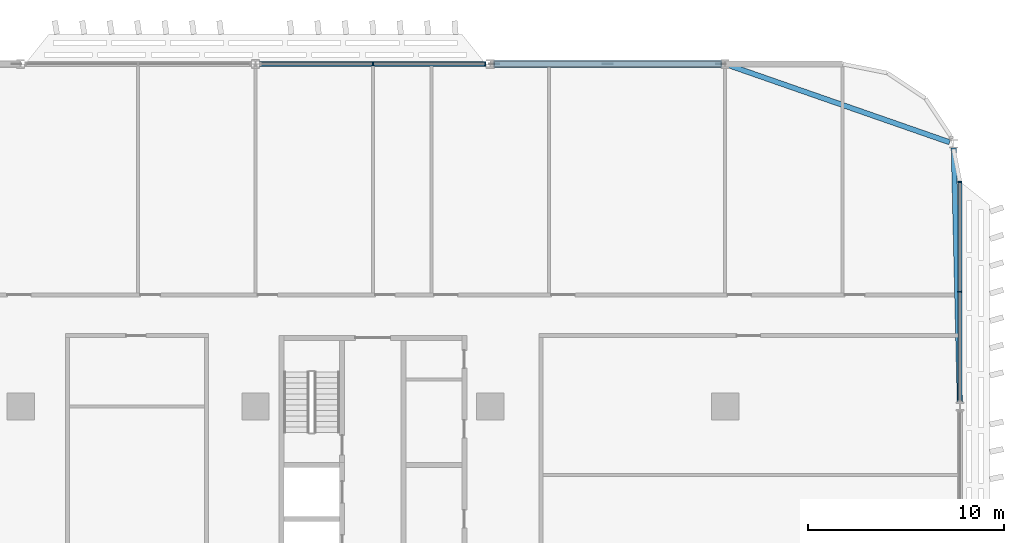
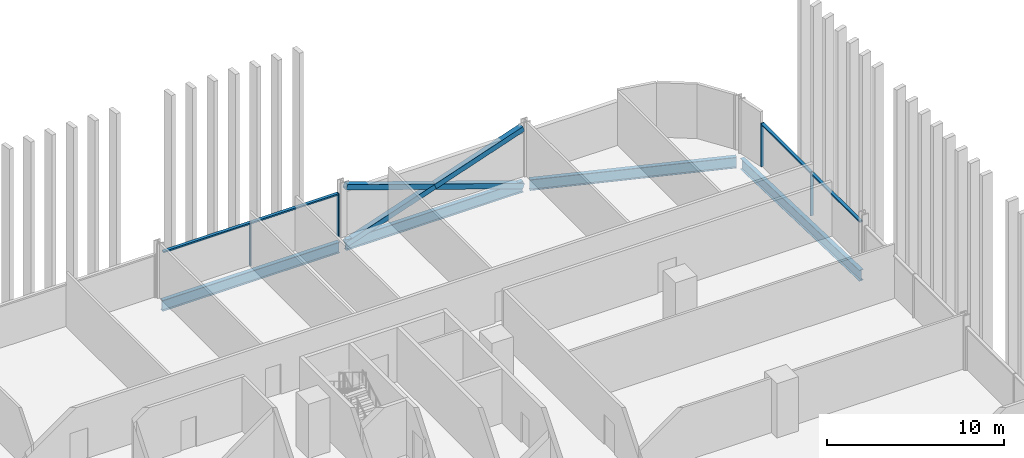
# One storey, part 10 of 31: 11 members, 4 beams, 2 elements without a shape of their own.
"""IFC4 building model written with IfcOpenShell, lengths in metres."""

from ifc_helpers import new_model, si_unit, direction, frame, origin, origin_2d, place, context, subcontext, project, spatial, rectangle, hollow_rectangle, i_section, extrude, material, material_profile, profile_set, type_object, element, aggregate, save


model = new_model("IFC4")

# Units and contexts
model_context = context("Model", 3, precision=1e-05, world=origin(), true_north=direction((0.0, 1.0)))
body_context = subcontext(model_context, "Body", "Model", "MODEL_VIEW")
ifc_project = project(units=[si_unit("LENGTHUNIT", "METRE"), si_unit("AREAUNIT", "SQUARE_METRE"), si_unit("VOLUMEUNIT", "CUBIC_METRE"), si_unit("PLANEANGLEUNIT", "RADIAN"), si_unit("MASSUNIT", "GRAM", prefix="KILO")], contexts=[model_context])

# Site, building, storey
site_placement = place(None, origin())
site = spatial("IfcSite", under=ifc_project, at=site_placement, CompositionType="ELEMENT")
building_placement = place(site_placement, origin())
building = spatial("IfcBuilding", under=site, at=building_placement, Name="Mahtab Terrace Research Tower", CompositionType="ELEMENT")
storey_placement = place(building_placement, frame((0.0, 0.0, 101.199951171875)))
storey = spatial("IfcBuildingStorey", under=building, at=storey_placement, Name="L23", CompositionType="ELEMENT", Elevation=101.199951171875)

# Members
ifc_material_1 = material(Name="Steel ASTM A500 Gr C", Category="steel")
ifc_material_profile_1 = material_profile(ifc_material_1, hollow_rectangle(XDim=0.355712890625, YDim=0.355712890625, WallThickness=0.01904296875, at=origin_2d()), Name="HSS14X14X3/4")
ifc_profile_set_1 = profile_set([ifc_material_profile_1], Name="Steel ASTM A500 Gr C")
member_type_1 = type_object("IfcMemberType", Name="HSS 14x14x3/4 brace XB141434", PredefinedType="BRACE", material=ifc_profile_set_1)
member_1_placement = place(storey_placement, frame((41.79052734375, 29.0, -0.646728515625), z_axis=(-0.946292853795, 0.0, 0.323310740397), x_axis=(0.0, -1.0, 0.0)))
element("IfcMember", 1, at=member_1_placement, inside=storey, type_object=member_type_1, Name="Exoskeleton brace L23 02 a", PredefinedType="BRACE", context=body_context, shape_type="SweptSolid", body=[
    extrude(hollow_rectangle(XDim=0.355712890625, YDim=0.355712890625, WallThickness=0.01904296875, at=origin_2d()), origin(), (0.0, 0.0, 1.0), 12.23828125),
])
for number, where, z_axis, x_axis, name in (
    (2, (30.20947265625, 29.0, -0.646728515625), (0.946298956945, 0.0, 0.323292876639), (0.0, 1.0, 0.0), "Exoskeleton brace L23 02 b1"),
    (3, (36.0, 29.0, 1.33154296875), (0.946286750388, 0.0, 0.323328603809), (0.0, 1.0, 0.0), "Exoskeleton brace L23 02 b2"),
):
    element("IfcMember", number, at=place(storey_placement, frame(where, z_axis=z_axis, x_axis=x_axis)), inside=storey, type_object=member_type_1, Name=name, PredefinedType="BRACE", context=body_context, shape_type="SweptSolid", body=[
        extrude(hollow_rectangle(XDim=0.355712890625, YDim=0.355712890625, WallThickness=0.01904296875, at=origin_2d()), origin(), (0.0, 0.0, 1.0), 6.119140625),
    ])

# Curtain wall, members
ifc_material_2 = material(Name="Laboratory ribbon curtain wall")
curtain_wall_type = type_object("IfcCurtainWallType", Name="Laboratory ribbon curtain wall", PredefinedType="NOTDEFINED", material=ifc_material_2)
curtain_wall_1_placement = place(storey_placement, origin())
curtain_wall_1 = element("IfcCurtainWall", 4, at=curtain_wall_1_placement, inside=storey, type_object=curtain_wall_type, Name="EN.L23.3.5", PredefinedType="NOTDEFINED")
ifc_material_3 = material(Name="Natural anodised aluminium", Category="aluminium")
ifc_material_profile_2 = material_profile(ifc_material_3, rectangle(XDim=0.199951171875, YDim=0.06494140625, at=origin_2d()), Name="MULLION 65x200")
ifc_profile_set_2 = profile_set([ifc_material_profile_2], Name="Natural anodised aluminium")
member_type_2 = type_object("IfcMemberType", Name="Laboratory ribbon curtain wall mullion", PredefinedType="MULLION", material=ifc_profile_set_2)
member_2_placement = place(storey_placement, frame((29.739501953125, 29.0, 0.0), z_axis=(0.0, 0.0, 1.0), x_axis=(0.0, -1.0, 0.0)))
member_2 = element("IfcMember", 5, at=member_2_placement, type_object=member_type_2, Name="CWL-3 mullion 1", PredefinedType="MULLION", context=body_context, shape_type="SweptSolid", body=[
    extrude(rectangle(XDim=0.199951171875, YDim=0.06494140625, at=origin_2d()), origin(), (0.0, 0.0, 1.0), 3.003173828125),
])
member_3_placement = place(storey_placement, frame((24.0, 29.0, 0.0), z_axis=(0.0, 0.0, 1.0), x_axis=(0.0, -1.0, 0.0)))
member_3 = element("IfcMember", 6, at=member_3_placement, type_object=member_type_2, Name="CWL-3 mullion 2", PredefinedType="MULLION", context=body_context, shape_type="SweptSolid", body=[
    extrude(rectangle(XDim=0.199951171875, YDim=0.06494140625, at=origin_2d()), origin(), (0.0, 0.0, 1.0), 3.003173828125),
])

curtain_wall_2_placement = place(storey_placement, origin())
curtain_wall_2 = element("IfcCurtainWall", 7, at=curtain_wall_2_placement, inside=storey, type_object=curtain_wall_type, Name="EN.L23.18.38", PredefinedType="NOTDEFINED")
member_4_placement = place(storey_placement, frame((54.0, 17.364013671875, 0.0), z_axis=(0.0, 0.0, 1.0), x_axis=(-1.0, 0.0, 0.0)))
member_4 = element("IfcMember", 8, at=member_4_placement, type_object=member_type_2, Name="CWL-3 mullion 2", PredefinedType="MULLION", context=body_context, shape_type="SweptSolid", body=[
    extrude(rectangle(XDim=0.199951171875, YDim=0.06494140625, at=origin_2d()), origin(), (0.0, 0.0, 1.0), 3.003173828125),
])
member_5_placement = place(storey_placement, frame((54.0, 22.967529296875, 0.0), z_axis=(0.0, 0.0, 1.0), x_axis=(-1.0, 0.0, 0.0)))
member_5 = element("IfcMember", 9, at=member_5_placement, type_object=member_type_2, Name="CWL-3 mullion 3", PredefinedType="MULLION", context=body_context, shape_type="SweptSolid", body=[
    extrude(rectangle(XDim=0.199951171875, YDim=0.06494140625, at=origin_2d()), origin(), (0.0, 0.0, 1.0), 3.003173828125),
])

# Member
ifc_material_profile_3 = material_profile(ifc_material_3, rectangle(XDim=0.199951171875, YDim=0.10009765625, at=origin_2d()), Name="TRANSOM 100x200")
ifc_profile_set_3 = profile_set([ifc_material_profile_3], Name="Natural anodised aluminium")
member_type_3 = type_object("IfcMemberType", Name="Laboratory ribbon curtain wall transom", PredefinedType="USERDEFINED", material=ifc_profile_set_3)
member_6_placement = place(storey_placement, frame((29.70703125, 29.0, 2.953125), z_axis=(-1.0, 0.0, 0.0), x_axis=(0.0, -1.0, 0.0)))
member_6 = element("IfcMember", 10, at=member_6_placement, type_object=member_type_3, Name="CWL-3 transom 1", ObjectType="TRANSOM", PredefinedType="USERDEFINED", context=body_context, shape_type="SweptSolid", body=[
    extrude(rectangle(XDim=0.199951171875, YDim=0.10009765625, at=origin_2d()), origin(), (0.0, 0.0, 1.0), 5.674560546875),
])

member_7_placement = place(storey_placement, frame((23.967529296875, 29.0, 2.953125), z_axis=(-1.0, 0.0, 0.0), x_axis=(0.0, -1.0, 0.0)))
member_7 = element("IfcMember", 11, at=member_7_placement, type_object=member_type_3, Name="CWL-3 transom 2", ObjectType="TRANSOM", PredefinedType="USERDEFINED", context=body_context, shape_type="SweptSolid", body=[
    extrude(rectangle(XDim=0.199951171875, YDim=0.10009765625, at=origin_2d()), origin(), (0.0, 0.0, 1.0), 5.674560546875),
])

aggregate(curtain_wall_1, [member_2, member_3, member_6, member_7])

member_8_placement = place(storey_placement, frame((54.0, 11.79296875, 2.953125), z_axis=(0.0, 1.0, 0.0), x_axis=(-1.0, 0.0, 0.0)))
member_8 = element("IfcMember", 12, at=member_8_placement, type_object=member_type_3, Name="CWL-3 transom 1", ObjectType="TRANSOM", PredefinedType="USERDEFINED", context=body_context, shape_type="SweptSolid", body=[
    extrude(rectangle(XDim=0.199951171875, YDim=0.10009765625, at=origin_2d()), origin(), (0.0, 0.0, 1.0), 5.53857421875),
])

member_9_placement = place(storey_placement, frame((54.0, 17.396484375, 2.953125), z_axis=(0.0, 1.0, 0.0), x_axis=(-1.0, 0.0, 0.0)))
member_9 = element("IfcMember", 13, at=member_9_placement, type_object=member_type_3, Name="CWL-3 transom 2", ObjectType="TRANSOM", PredefinedType="USERDEFINED", context=body_context, shape_type="SweptSolid", body=[
    extrude(rectangle(XDim=0.199951171875, YDim=0.10009765625, at=origin_2d()), origin(), (0.0, 0.0, 1.0), 5.53857421875),
])

aggregate(curtain_wall_2, [member_4, member_5, member_8, member_9])

# Beams
ifc_material_4 = material(Name="Steel ASTM A992 Gr 50", Category="steel")
ifc_material_profile_4 = material_profile(ifc_material_4, i_section(OverallWidth=0.2666015625, OverallDepth=0.7568359375, WebThickness=0.013916015625, FlangeThickness=0.019287109375, at=origin_2d()), Name="W30X108")
ifc_profile_set_4 = profile_set([ifc_material_profile_4], Name="Steel ASTM A992 Gr 50")
beam_type = type_object("IfcBeamType", Name="W30x108 beam BS30108", PredefinedType="BEAM", material=ifc_profile_set_4)
beam_1_placement = place(storey_placement, frame((53.472412109375, 25.0, -0.718505859375), z_axis=(-0.944250501583, 0.32922786981, 0.0), x_axis=(-0.32922786981, -0.944250501583, 0.0)))
element("IfcBeam", 14, at=beam_1_placement, inside=storey, type_object=beam_type, Name="Spandrel beam L23 01", PredefinedType="BEAM", context=body_context, shape_type="SweptSolid", body=[
    extrude(i_section(OverallWidth=0.2666015625, OverallDepth=0.7568359375, WebThickness=0.013916015625, FlangeThickness=0.019287109375, at=origin_2d()), origin(), (0.0, 0.0, 1.0), 11.927978515625),
])
for number, where, z_axis, x_axis, name in (
    (15, (41.79052734375, 29.0, -0.718505859375), (-1.0, 0.0, 0.0), (0.0, -1.0, 0.0), "Spandrel beam L23 02"),
    (16, (29.79052734375, 29.0, -0.718505859375), (-1.0, 0.0, 0.0), (0.0, -1.0, 0.0), "Spandrel beam L23 03"),
):
    element("IfcBeam", number, at=place(storey_placement, frame(where, z_axis=z_axis, x_axis=x_axis)), inside=storey, type_object=beam_type, Name=name, PredefinedType="BEAM", context=body_context, shape_type="SweptSolid", body=[
        extrude(i_section(OverallWidth=0.2666015625, OverallDepth=0.7568359375, WebThickness=0.013916015625, FlangeThickness=0.019287109375, at=origin_2d()), origin(), (0.0, 0.0, 1.0), 11.5810546875),
    ])
beam_2_placement = place(storey_placement, frame((53.99462890625, 11.727294921875, -0.718505859375), z_axis=(-0.023668910773, 0.99971985209, 0.0), x_axis=(-0.99971985209, -0.023668910773, 0.0)))
element("IfcBeam", 17, at=beam_2_placement, inside=storey, type_object=beam_type, Name="Spandrel beam L23 22", PredefinedType="BEAM", context=body_context, shape_type="SweptSolid", body=[
    extrude(i_section(OverallWidth=0.2666015625, OverallDepth=0.7568359375, WebThickness=0.013916015625, FlangeThickness=0.019287109375, at=origin_2d()), origin(), (0.0, 0.0, 1.0), 12.97607421875),
])

save(model, "model.ifc")
